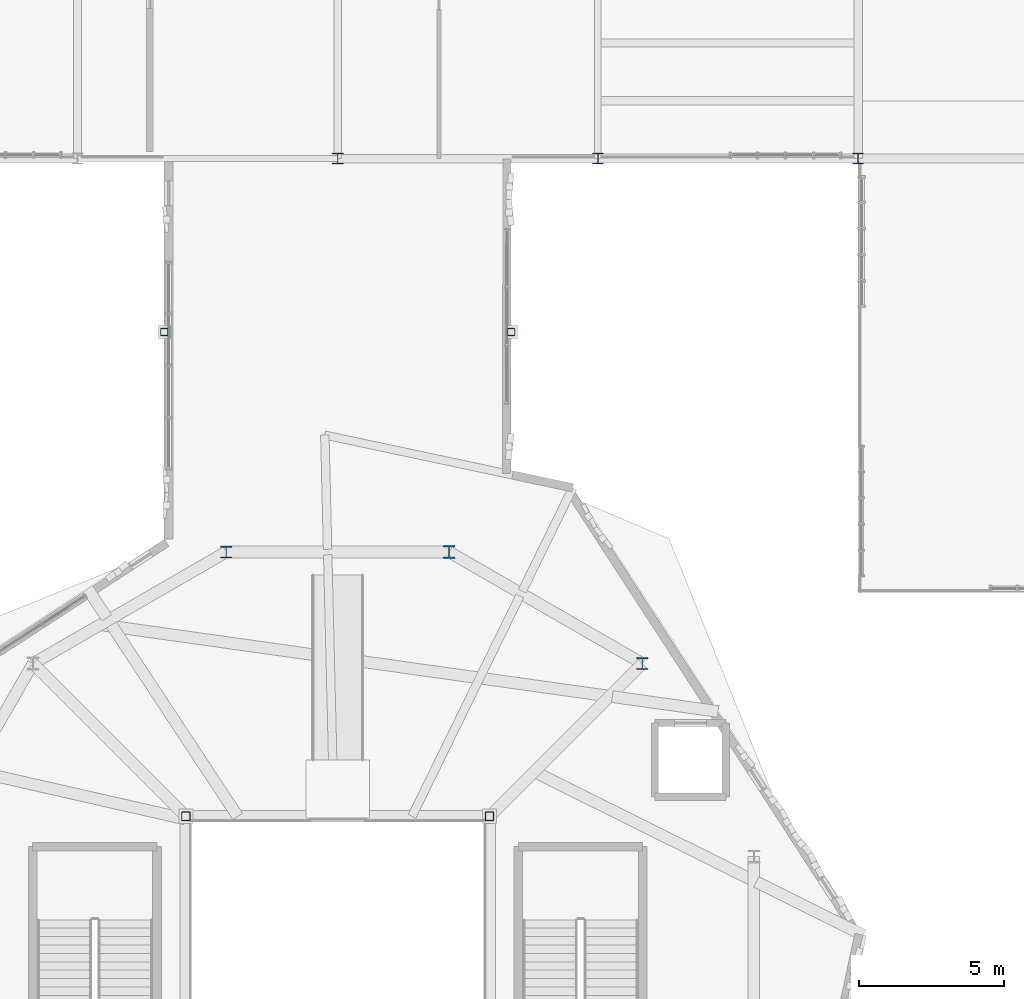
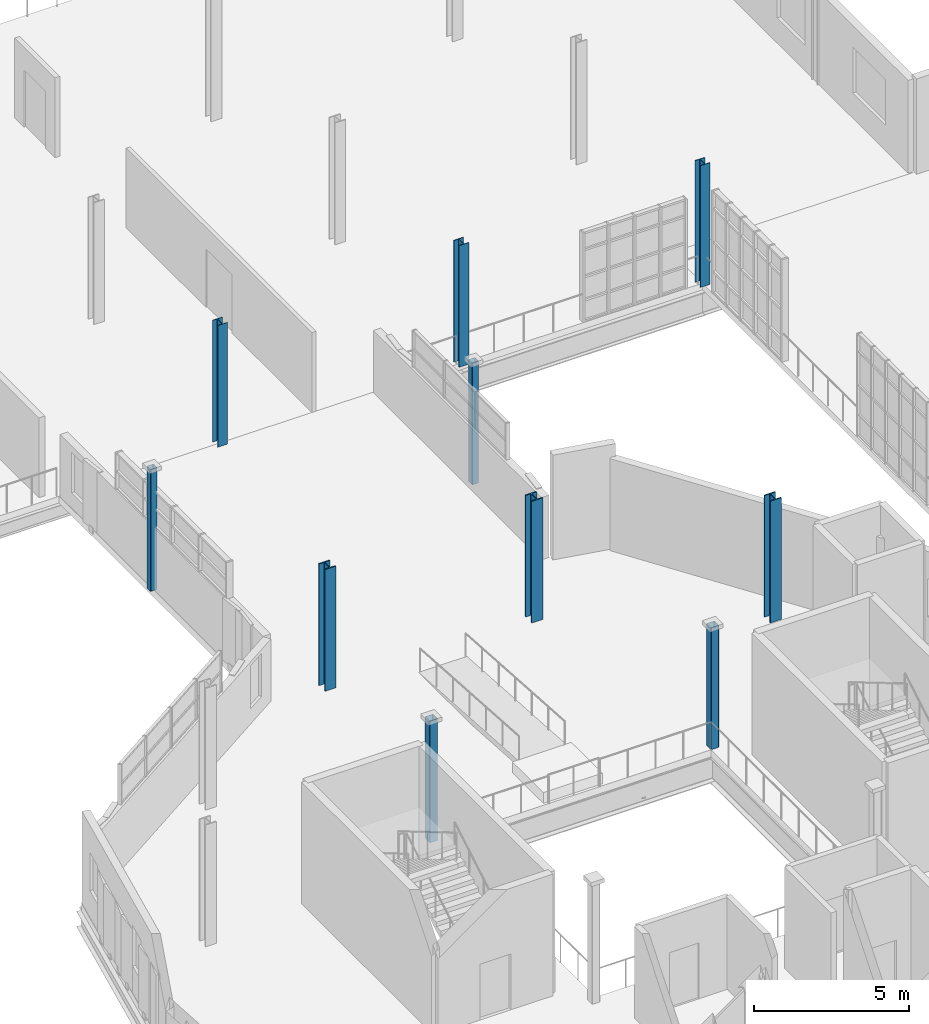
# One storey, part 4 of 118: 10 columns.
"""IFC4 building model written with IfcOpenShell, lengths in metres."""

from ifc_helpers import new_model, si_unit, direction, frame, origin, origin_2d, place, context, subcontext, project, spatial, hollow_rectangle, i_section, extrude, material, material_profile, profile_set, type_object, element, save


model = new_model("IFC4")

# Units and contexts
model_context = context("Model", 3, precision=1e-05, world=origin(), true_north=direction((0.0, 1.0)))
body_context = subcontext(model_context, "Body", "Model", "MODEL_VIEW")
ifc_project = project(units=[si_unit("LENGTHUNIT", "METRE"), si_unit("AREAUNIT", "SQUARE_METRE"), si_unit("VOLUMEUNIT", "CUBIC_METRE"), si_unit("PLANEANGLEUNIT", "RADIAN"), si_unit("MASSUNIT", "GRAM", prefix="KILO"), si_unit("THERMODYNAMICTEMPERATUREUNIT", "KELVIN"), si_unit("POWERUNIT", "WATT")], contexts=[model_context])

# Site, building, storey
site_placement = place(None, origin())
site = spatial("IfcSite", under=ifc_project, at=site_placement, CompositionType="ELEMENT")
building_placement = place(site_placement, origin())
building = spatial("IfcBuilding", under=site, at=building_placement, Name="Zelmaris Science Centre", CompositionType="ELEMENT")
storey_placement = place(building_placement, frame((0.0, 0.0, 15.60009765625)))
storey = spatial("IfcBuildingStorey", under=building, at=storey_placement, Name="L03", CompositionType="ELEMENT", Elevation=15.60009765625)

# Columns
ifc_material_1 = material(Name="Steel ASTM A992 Grade 50", Category="steel")
ifc_material_profile_1 = material_profile(ifc_material_1, i_section(OverallWidth=0.412109375, OverallDepth=0.43408203125, WebThickness=0.035888671875, FlangeThickness=0.044189453125, FilletRadius=0.014892578125, at=origin_2d()), Name="W14X311")
ifc_profile_set_1 = profile_set([ifc_material_profile_1], Name="Steel ASTM A992 Grade 50")
column_type_1 = type_object("IfcColumnType", Name="Column C-01 W14X311", PredefinedType="COLUMN", material=ifc_profile_set_1)
column_placement = place(storey_placement, frame((84.8564453125, 50.392333984375, 0.0), z_axis=(0.0, 0.0, 1.0), x_axis=(1.0, 0.0, 0.0)))
element("IfcColumn", 1, at=column_placement, inside=storey, type_object=column_type_1, Name="Column V2-MC03 L03", PredefinedType="COLUMN", context=body_context, shape_type="SweptSolid", body=[
    extrude(i_section(OverallWidth=0.412109375, OverallDepth=0.43408203125, WebThickness=0.035888671875, FlangeThickness=0.044189453125, FilletRadius=0.014892578125, at=origin_2d()), origin(), (0.0, 0.0, 1.0), 4.7998046875),
])
ifc_material_profile_2 = material_profile(ifc_material_1, i_section(OverallWidth=0.406005859375, OverallDepth=0.4169921875, WebThickness=0.02978515625, FlangeThickness=0.04443359375, FilletRadius=0.014892578125, at=origin_2d()), Name="W14X257")
ifc_profile_set_2 = profile_set([ifc_material_profile_2], Name="Steel ASTM A992 Grade 50")
column_type_2 = type_object("IfcColumnType", Name="Column C-02 W14X257", PredefinedType="COLUMN", material=ifc_profile_set_2)
for number, where, z_axis, x_axis, name in (
    (2, (91.535888671875, 46.535888671875, 0.0), (0.0, 0.0, 1.0), (1.0, 0.0, 0.0), "Column V2-MC02 L03"),
    (3, (77.1435546875, 50.392333984375, 0.0), (0.0, 0.0, 1.0), (1.0, 0.0, 0.0), "Column V2-MC04 L03"),
):
    element("IfcColumn", number, at=place(storey_placement, frame(where, z_axis=z_axis, x_axis=x_axis)), inside=storey, type_object=column_type_2, Name=name, PredefinedType="COLUMN", context=body_context, shape_type="SweptSolid", body=[
        extrude(i_section(OverallWidth=0.406005859375, OverallDepth=0.4169921875, WebThickness=0.02978515625, FlangeThickness=0.04443359375, FilletRadius=0.014892578125, at=origin_2d()), origin(), (0.0, 0.0, 1.0), 4.7998046875),
    ])
ifc_material_profile_3 = material_profile(ifc_material_1, i_section(OverallWidth=0.367919921875, OverallDepth=0.35595703125, WebThickness=0.01123046875, FlangeThickness=0.01806640625, FilletRadius=0.014892578125, at=origin_2d()), Name="W14X90")
ifc_profile_set_3 = profile_set([ifc_material_profile_3], Name="Steel ASTM A992 Grade 50")
column_type_3 = type_object("IfcColumnType", Name="Column C-07 W14X90", PredefinedType="COLUMN", material=ifc_profile_set_3)
for number, where, z_axis, x_axis, name in (
    (4, (81.0, 64.0, 0.0), (0.0, 0.0, 1.0), (1.0, 0.0, 0.0), "Column V5-C-81-64 L03"),
    (5, (90.0, 64.0, 0.0), (0.0, 0.0, 1.0), (1.0, 0.0, 0.0), "Column V5-C-90-64 L03"),
    (6, (99.0, 64.0, 0.0), (0.0, 0.0, 1.0), (1.0, 0.0, 0.0), "Column V5-C-99-64 L03"),
):
    element("IfcColumn", number, at=place(storey_placement, frame(where, z_axis=z_axis, x_axis=x_axis)), inside=storey, type_object=column_type_3, Name=name, PredefinedType="COLUMN", context=body_context, shape_type="SweptSolid", body=[
        extrude(i_section(OverallWidth=0.367919921875, OverallDepth=0.35595703125, WebThickness=0.01123046875, FlangeThickness=0.01806640625, FilletRadius=0.014892578125, at=origin_2d()), origin(), (0.0, 0.0, 1.0), 4.7998046875),
    ])
ifc_material_2 = material(Name="Steel ASTM A500 Grade C", Category="steel")
ifc_material_profile_4 = material_profile(ifc_material_2, hollow_rectangle(XDim=0.3046875, YDim=0.3046875, WallThickness=0.0146484375, InnerFilletRadius=0.0146484375, OuterFilletRadius=0.029296875, at=origin_2d()), Name="HSS305X305X16")
ifc_profile_set_4 = profile_set([ifc_material_profile_4], Name="Steel ASTM A500 Grade C")
column_type_4 = type_object("IfcColumnType", Name="Column C-10 HSS305X305X16", PredefinedType="COLUMN", material=ifc_profile_set_4)
for number, where, z_axis, x_axis, name in (
    (7, (86.25, 41.25, 0.0), (0.0, 0.0, 1.0), (1.0, 0.0, 0.0), "Column V2-AC03 L03"),
    (8, (75.75, 41.25, 0.0), (0.0, 0.0, 1.0), (1.0, 0.0, 0.0), "Column V2-AC04 L03"),
):
    element("IfcColumn", number, at=place(storey_placement, frame(where, z_axis=z_axis, x_axis=x_axis)), inside=storey, type_object=column_type_4, Name=name, PredefinedType="COLUMN", context=body_context, shape_type="SweptSolid", body=[
        extrude(hollow_rectangle(XDim=0.3046875, YDim=0.3046875, WallThickness=0.0146484375, InnerFilletRadius=0.0146484375, OuterFilletRadius=0.029296875, at=origin_2d()), origin(), (0.0, 0.0, 1.0), 4.7998046875),
    ])
ifc_material_profile_5 = material_profile(ifc_material_2, hollow_rectangle(XDim=0.25390625, YDim=0.25390625, WallThickness=0.01171875, InnerFilletRadius=0.01171875, OuterFilletRadius=0.023681640625, at=origin_2d()), Name="HSS254X254X13")
ifc_profile_set_5 = profile_set([ifc_material_profile_5], Name="Steel ASTM A500 Grade C")
column_type_5 = type_object("IfcColumnType", Name="Column C-11 HSS254X254X13", PredefinedType="COLUMN", material=ifc_profile_set_5)
for number, where, z_axis, x_axis, name in (
    (9, (75.0, 58.0, 0.0), (0.0, 0.0, 1.0), (1.0, 0.0, 0.0), "Column LK-N-75 L03"),
    (10, (87.0, 58.0, 0.0), (0.0, 0.0, 1.0), (1.0, 0.0, 0.0), "Column LK-N-87 L03"),
):
    element("IfcColumn", number, at=place(storey_placement, frame(where, z_axis=z_axis, x_axis=x_axis)), inside=storey, type_object=column_type_5, Name=name, PredefinedType="COLUMN", context=body_context, shape_type="SweptSolid", body=[
        extrude(hollow_rectangle(XDim=0.25390625, YDim=0.25390625, WallThickness=0.01171875, InnerFilletRadius=0.01171875, OuterFilletRadius=0.023681640625, at=origin_2d()), origin(), (0.0, 0.0, 1.0), 4.7998046875),
    ])

save(model, "model.ifc")
